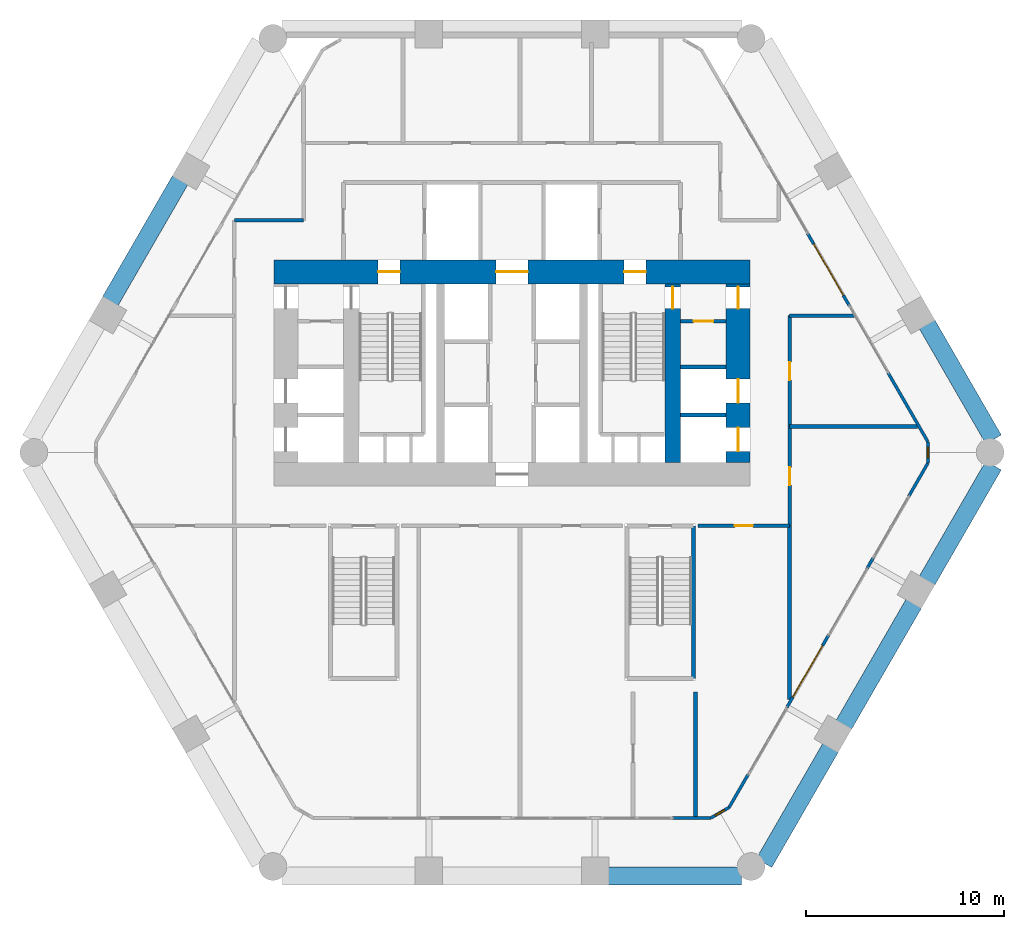
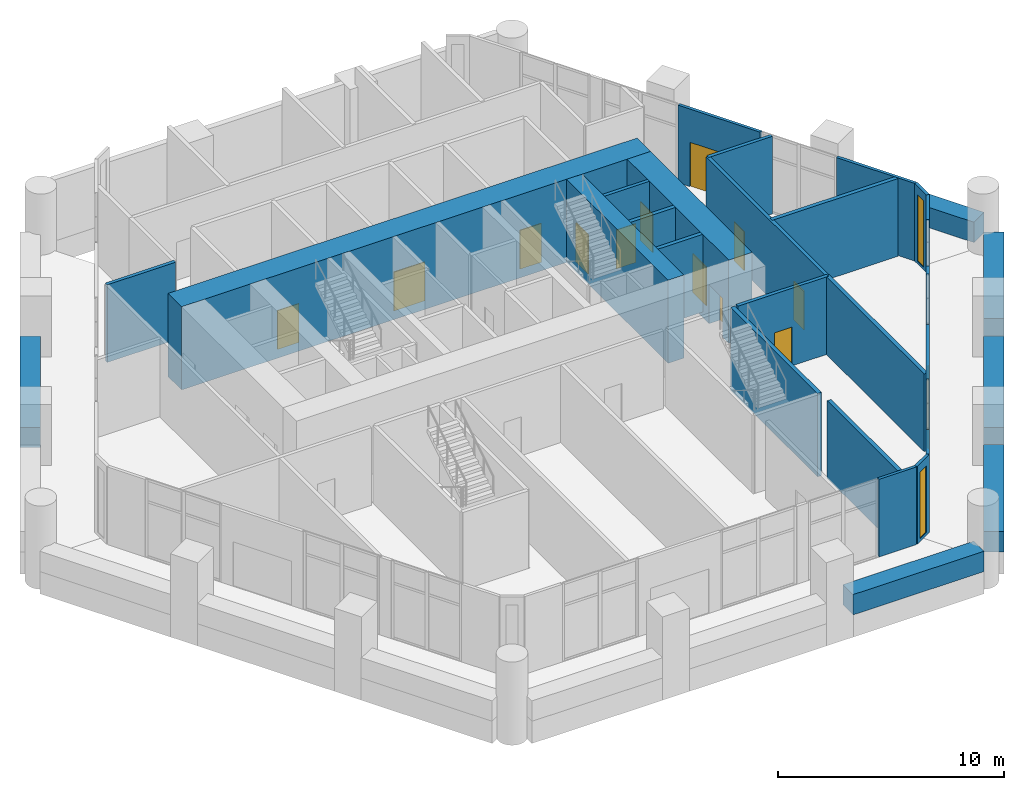
# One storey, part 15 of 18: 29 walls, 13 doors, 2 windows, 15 openings.
"""IFC4 building model written with IfcOpenShell, lengths in metres."""

from ifc_helpers import new_model, si_unit, direction, frame, frame_2d, origin, place, context, subcontext, project, spatial, rectangle, extrude, material, layer, layer_set, type_object, element, fill, save


model = new_model("IFC4")

# Units and contexts
model_context = context("Model", 3, precision=1e-05, world=origin(), true_north=direction((0.0, 1.0)))
body_context = subcontext(model_context, "Body", "Model", "MODEL_VIEW")
ifc_project = project(units=[si_unit("LENGTHUNIT", "METRE"), si_unit("AREAUNIT", "SQUARE_METRE"), si_unit("VOLUMEUNIT", "CUBIC_METRE"), si_unit("PLANEANGLEUNIT", "RADIAN"), si_unit("MASSUNIT", "GRAM", prefix="KILO")], contexts=[model_context])

# Site, building, storey
site_placement = place(None, origin())
site = spatial("IfcSite", under=ifc_project, at=site_placement, CompositionType="ELEMENT")
building_placement = place(site_placement, origin())
building = spatial("IfcBuilding", under=site, at=building_placement, Name="Ostrander Bayou Hotel Tower", CompositionType="ELEMENT")
storey_placement = place(building_placement, frame((0.0, 0.0, 14.5)))
storey = spatial("IfcBuildingStorey", under=building, at=storey_placement, Name="L03", CompositionType="ELEMENT", Elevation=14.5)

# Wall, openings, doors
ifc_material_1 = material(Name="Concrete f'c 70 MPa", Category="concrete")
ifc_layer_1 = layer(ifc_material_1, 1.199951171875)
ifc_layer_set_1 = layer_set([ifc_layer_1], Name="CW1 core wall 1200 mm f'c 70 MPa")
wall_type_1 = type_object("IfcWallType", Name="CW1 core wall 1200 mm f'c 70 MPa", PredefinedType="SHEAR", material=ifc_layer_set_1)
wall_1_placement = place(storey_placement, frame((-12.0, 9.10009765625, -0.300048828125), z_axis=(0.0, 0.0, 1.0), x_axis=(1.0, 0.0, 0.0)))
wall_1 = element("IfcWall", 1, at=wall_1_placement, inside=storey, type_object=wall_type_1, Name="CW1 L03 N", PredefinedType="SHEAR", context=body_context, shape_type="SweptSolid", body=[
    extrude(rectangle(XDim=24.0, YDim=1.199951171875, at=frame_2d((12.0, 0.0))), origin(), (0.0, 0.0, 1.0), 4.5),
])
opening_1_placement = place(wall_1_placement, frame((11.199951171875, 0.0, 0.0)))
opening_1 = element("IfcOpeningElement", 2, at=opening_1_placement, cuts=wall_1, Name="Opening T03-002", PredefinedType="OPENING", context=body_context, shape_type="SweptSolid", body=[
    extrude(rectangle(XDim=1.60009765625, YDim=2.10009765625, at=frame_2d((0.800048828125, 1.050048828125))), frame((0.0, 0.60009765625, 0.0), z_axis=(0.0, -1.0, 0.0), x_axis=(1.0, 0.0, 0.0)), (0.0, 0.0, 1.0), 1.199951171875),
])
opening_2_placement = place(wall_1_placement, frame((5.25, 0.0, 0.0)))
opening_2 = element("IfcOpeningElement", 3, at=opening_2_placement, cuts=wall_1, Name="Opening T03-003", PredefinedType="OPENING", context=body_context, shape_type="SweptSolid", body=[
    extrude(rectangle(XDim=1.10009765625, YDim=2.10009765625, at=frame_2d((0.550048828125, 1.050048828125))), frame((0.0, 0.60009765625, 0.0), z_axis=(0.0, -1.0, 0.0), x_axis=(1.0, 0.0, 0.0)), (0.0, 0.0, 1.0), 1.199951171875),
])
opening_3_placement = place(wall_1_placement, frame((17.64990234375, 0.0, 0.0)))
opening_3 = element("IfcOpeningElement", 4, at=opening_3_placement, cuts=wall_1, Name="Opening T03-005", PredefinedType="OPENING", context=body_context, shape_type="SweptSolid", body=[
    extrude(rectangle(XDim=1.10009765625, YDim=2.10009765625, at=frame_2d((0.550048828125, 1.050048828125))), frame((0.0, 0.60009765625, 0.0), z_axis=(0.0, -1.0, 0.0), x_axis=(1.0, 0.0, 0.0)), (0.0, 0.0, 1.0), 1.199951171875),
])
ifc_material_2 = material(Name="Timber door leaf", Category="wood")
door_type_1 = type_object("IfcDoorType", Name="D13 double door 1600 x 2100 mm, 1 hour", OperationType="SINGLE_SWING_LEFT", PredefinedType="DOOR", material=ifc_material_2)
door_1_placement = place(opening_1_placement, origin())
door_1 = element("IfcDoor", 5, at=door_1_placement, inside=storey, type_object=door_type_1, Name="dr:L03:002", OperationType="DOUBLE_DOOR_SINGLE_SWING", OverallHeight=2.10009765625, OverallWidth=1.60009765625, PredefinedType="DOOR", context=body_context, shape_type="SweptSolid", body=[
    extrude(rectangle(XDim=1.60009765625, YDim=2.10009765625, at=frame_2d((0.800048828125, 1.050048828125))), frame((0.0, 0.02490234375, 0.0), z_axis=(0.0, -1.0, 0.0), x_axis=(1.0, 0.0, 0.0)), (0.0, 0.0, 1.0), 0.050048828125),
])
fill(opening_1, door_1)
ifc_material_3 = material(Name="Timber door leaf", Category="wood")
door_type_2 = type_object("IfcDoorType", Name="D5 stair door 1100 x 2100 mm, 90 minute", OperationType="SINGLE_SWING_LEFT", PredefinedType="DOOR", material=ifc_material_3)
door_2_placement = place(opening_2_placement, origin())
door_2 = element("IfcDoor", 6, at=door_2_placement, inside=storey, type_object=door_type_2, Name="dr:L03:003", OperationType="SINGLE_SWING_LEFT", OverallHeight=2.10009765625, OverallWidth=1.10009765625, PredefinedType="DOOR", context=body_context, shape_type="SweptSolid", body=[
    extrude(rectangle(XDim=1.10009765625, YDim=2.10009765625, at=frame_2d((0.550048828125, 1.050048828125))), frame((0.0, 0.02490234375, 0.0), z_axis=(0.0, -1.0, 0.0), x_axis=(1.0, 0.0, 0.0)), (0.0, 0.0, 1.0), 0.050048828125),
])
fill(opening_2, door_2)
door_3_placement = place(opening_3_placement, origin())
door_3 = element("IfcDoor", 7, at=door_3_placement, inside=storey, type_object=door_type_2, Name="dr:L03:005", OperationType="SINGLE_SWING_RIGHT", OverallHeight=2.10009765625, OverallWidth=1.10009765625, PredefinedType="DOOR", context=body_context, shape_type="SweptSolid", body=[
    extrude(rectangle(XDim=1.10009765625, YDim=2.10009765625, at=frame_2d((0.550048828125, 1.050048828125))), frame((0.0, 0.02490234375, 0.0), z_axis=(0.0, -1.0, 0.0), x_axis=(1.0, 0.0, 0.0)), (0.0, 0.0, 1.0), 0.050048828125),
])
fill(opening_3, door_3)

wall_2_placement = place(storey_placement, frame((11.39990234375, -0.5, -0.300048828125), z_axis=(0.0, 0.0, 1.0), x_axis=(0.0, 1.0, 0.0)))
wall_2 = element("IfcWall", 8, at=wall_2_placement, inside=storey, type_object=wall_type_1, Name="CW1 L03 RE", PredefinedType="SHEAR", context=body_context, shape_type="SweptSolid", body=[
    extrude(rectangle(XDim=9.0, YDim=1.199951171875, at=frame_2d((4.5, 0.0))), origin(), (0.0, 0.0, 1.0), 4.5),
])
opening_4_placement = place(wall_2_placement, frame((7.75, 0.0, 0.0)))
opening_4 = element("IfcOpeningElement", 9, at=opening_4_placement, cuts=wall_2, Name="Opening T03-020", PredefinedType="OPENING", context=body_context, shape_type="SweptSolid", body=[
    extrude(rectangle(XDim=1.10009765625, YDim=2.10009765625, at=frame_2d((0.550048828125, 1.050048828125))), frame((0.0, 0.60009765625, 0.0), z_axis=(0.0, -1.0, 0.0), x_axis=(1.0, 0.0, 0.0)), (0.0, 0.0, 1.0), 1.199951171875),
])
opening_5_placement = place(wall_2_placement, frame((0.550048828125, 0.0, 0.0)))
opening_5 = element("IfcOpeningElement", 10, at=opening_5_placement, cuts=wall_2, Name="Opening T03-021", PredefinedType="OPENING", context=body_context, shape_type="SweptSolid", body=[
    extrude(rectangle(XDim=1.199951171875, YDim=2.10009765625, at=frame_2d((0.60009765625, 1.050048828125))), frame((0.0, 0.60009765625, 0.0), z_axis=(0.0, -1.0, 0.0), x_axis=(1.0, 0.0, 0.0)), (0.0, 0.0, 1.0), 1.199951171875),
])
opening_6_placement = place(wall_2_placement, frame((3.0, 0.0, 0.0)))
opening_6 = element("IfcOpeningElement", 11, at=opening_6_placement, cuts=wall_2, Name="Opening T03-022", PredefinedType="OPENING", context=body_context, shape_type="SweptSolid", body=[
    extrude(rectangle(XDim=1.199951171875, YDim=2.10009765625, at=frame_2d((0.60009765625, 1.050048828125))), frame((0.0, 0.60009765625, 0.0), z_axis=(0.0, -1.0, 0.0), x_axis=(1.0, 0.0, 0.0)), (0.0, 0.0, 1.0), 1.199951171875),
])
door_4_placement = place(opening_4_placement, origin())
door_4 = element("IfcDoor", 12, at=door_4_placement, inside=storey, type_object=door_type_2, Name="dr:L03:020", OperationType="SINGLE_SWING_RIGHT", OverallHeight=2.10009765625, OverallWidth=1.10009765625, PredefinedType="DOOR", context=body_context, shape_type="SweptSolid", body=[
    extrude(rectangle(XDim=1.10009765625, YDim=2.10009765625, at=frame_2d((0.550048828125, 1.050048828125))), frame((0.0, 0.02490234375, 0.0), z_axis=(0.0, -1.0, 0.0), x_axis=(1.0, 0.0, 0.0)), (0.0, 0.0, 1.0), 0.050048828125),
])
fill(opening_4, door_4)
ifc_material_4 = material(Name="Stainless steel sliding door", Category="steel")
door_type_3 = type_object("IfcDoorType", Name="LD1 lift landing door 1200 x 2100 mm", OperationType="SINGLE_SWING_LEFT", PredefinedType="DOOR", material=ifc_material_4)
door_5_placement = place(opening_5_placement, origin())
door_5 = element("IfcDoor", 13, at=door_5_placement, inside=storey, type_object=door_type_3, Name="dr:L03:021", OperationType="SLIDING_TO_LEFT", OverallHeight=2.10009765625, OverallWidth=1.199951171875, PredefinedType="DOOR", context=body_context, shape_type="SweptSolid", body=[
    extrude(rectangle(XDim=1.199951171875, YDim=2.10009765625, at=frame_2d((0.60009765625, 1.050048828125))), frame((0.0, 0.02490234375, 0.0), z_axis=(0.0, -1.0, 0.0), x_axis=(1.0, 0.0, 0.0)), (0.0, 0.0, 1.0), 0.050048828125),
])
fill(opening_5, door_5)
door_6_placement = place(opening_6_placement, origin())
door_6 = element("IfcDoor", 14, at=door_6_placement, inside=storey, type_object=door_type_3, Name="dr:L03:022", OperationType="SLIDING_TO_LEFT", OverallHeight=2.10009765625, OverallWidth=1.199951171875, PredefinedType="DOOR", context=body_context, shape_type="SweptSolid", body=[
    extrude(rectangle(XDim=1.199951171875, YDim=2.10009765625, at=frame_2d((0.60009765625, 1.050048828125))), frame((0.0, 0.02490234375, 0.0), z_axis=(0.0, -1.0, 0.0), x_axis=(1.0, 0.0, 0.0)), (0.0, 0.0, 1.0), 0.050048828125),
])
fill(opening_6, door_6)

# Wall, opening, door
ifc_material_5 = material(Name="Concrete f'c 70 MPa", Category="concrete")
ifc_layer_2 = layer(ifc_material_5, 0.800048828125)
ifc_layer_set_2 = layer_set([ifc_layer_2], Name="CW2 core spine wall 800 mm f'c 70 MPa")
wall_type_2 = type_object("IfcWallType", Name="CW2 core spine wall 800 mm f'c 70 MPa", PredefinedType="SHEAR", material=ifc_layer_set_2)
wall_3_placement = place(storey_placement, frame((8.10009765625, -0.5, -0.300048828125), z_axis=(0.0, 0.0, 1.0), x_axis=(0.0, 1.0, 0.0)))
wall_3 = element("IfcWall", 15, at=wall_3_placement, inside=storey, type_object=wall_type_2, Name="CW2 L03 E", PredefinedType="SHEAR", context=body_context, shape_type="SweptSolid", body=[
    extrude(rectangle(XDim=9.0, YDim=0.800048828125, at=frame_2d((4.5, 0.0))), origin(), (0.0, 0.0, 1.0), 4.5),
])
opening_7_placement = place(wall_3_placement, frame((7.75, 0.0, 0.0)))
opening_7 = element("IfcOpeningElement", 16, at=opening_7_placement, cuts=wall_3, Name="Opening T03-006", PredefinedType="OPENING", context=body_context, shape_type="SweptSolid", body=[
    extrude(rectangle(XDim=1.10009765625, YDim=2.10009765625, at=frame_2d((0.550048828125, 1.050048828125))), frame((0.0, 0.39990234375, 0.0), z_axis=(0.0, -1.0, 0.0), x_axis=(1.0, 0.0, 0.0)), (0.0, 0.0, 1.0), 0.800048828125),
])
door_7_placement = place(opening_7_placement, origin())
door_7 = element("IfcDoor", 17, at=door_7_placement, inside=storey, type_object=door_type_2, Name="dr:L03:006", OperationType="SINGLE_SWING_LEFT", OverallHeight=2.10009765625, OverallWidth=1.10009765625, PredefinedType="DOOR", context=body_context, shape_type="SweptSolid", body=[
    extrude(rectangle(XDim=1.10009765625, YDim=2.10009765625, at=frame_2d((0.550048828125, 1.050048828125))), frame((0.0, 0.02490234375, 0.0), z_axis=(0.0, -1.0, 0.0), x_axis=(1.0, 0.0, 0.0)), (0.0, 0.0, 1.0), 0.050048828125),
])
fill(opening_7, door_7)

# Wall
ifc_material_6 = material(Name="Aluminium framed insulated wall", Category="aluminium")
ifc_layer_3 = layer(ifc_material_6, 0.14990234375)
ifc_layer_set_3 = layer_set([ifc_layer_3], Name="GW1 glass-line wall 150 mm")
wall_type_3 = type_object("IfcWallType", Name="GW1 glass-line wall 150 mm", PredefinedType="SOLIDWALL", material=ifc_layer_set_3)
wall_4_placement = place(storey_placement, frame((8.10009765625, -18.425048828125, 0.0), z_axis=(0.0, 0.0, 1.0), x_axis=(1.0, 0.0, 0.0)))
element("IfcWall", 18, at=wall_4_placement, inside=storey, type_object=wall_type_3, Name="GW1 L03 S end 2", PredefinedType="SOLIDWALL", context=body_context, shape_type="SweptSolid", body=[
    extrude(rectangle(XDim=1.922607421875, YDim=0.14990234375, at=frame_2d((0.96142578125, 0.0))), origin(), (0.0, 0.0, 1.0), 4.199951171875),
])

# Wall, opening, door
wall_5_placement = place(storey_placement, frame((13.8564453125, -12.849853515625, 0.0), z_axis=(0.0, 0.0, 1.0), x_axis=(0.500002543286, 0.866023935413, 0.0)))
wall_5 = element("IfcWall", 19, at=wall_5_placement, inside=storey, type_object=wall_type_3, Name="GW1 L03 SE 2", PredefinedType="SOLIDWALL", context=body_context, shape_type="SweptSolid", body=[
    extrude(rectangle(XDim=4.2001953125, YDim=0.14990234375, at=frame_2d((2.10009765625, 0.0))), origin(), (0.0, 0.0, 1.0), 4.199951171875),
])
opening_8_placement = place(wall_5_placement, frame((0.60009765625, 0.0, 0.0)))
opening_8 = element("IfcOpeningElement", 20, at=opening_8_placement, cuts=wall_5, Name="Opening T03-803", PredefinedType="OPENING", context=body_context, shape_type="SweptSolid", body=[
    extrude(rectangle(XDim=3.0, YDim=2.39990234375, at=frame_2d((1.5, 1.199951171875))), frame((0.0, 0.074951171875, 0.0), z_axis=(0.0, -1.0, 0.0), x_axis=(1.0, 0.0, 0.0)), (0.0, 0.0, 1.0), 0.14990234375),
])
ifc_material_7 = material(Name="Aluminium and clear glass", Category="aluminium")
door_type_4 = type_object("IfcDoorType", Name="SD5 sliding glass door 3000 mm", OperationType="SLIDING_TO_LEFT", PredefinedType="DOOR", material=ifc_material_7)
door_8_placement = place(opening_8_placement, origin())
door_8 = element("IfcDoor", 21, at=door_8_placement, inside=storey, type_object=door_type_4, Name="SD5 L03 SE 2", OperationType="SLIDING_TO_RIGHT", OverallHeight=2.39990234375, OverallWidth=3.0, PredefinedType="DOOR", context=body_context, shape_type="SweptSolid", body=[
    extrude(rectangle(XDim=3.0, YDim=2.39990234375, at=frame_2d((1.5, 1.199951171875))), frame((0.0, 0.02490234375, 0.0), z_axis=(0.0, -1.0, 0.0), x_axis=(1.0, 0.0, 0.0)), (0.0, 0.0, 1.0), 0.050048828125),
])
fill(opening_8, door_8)

# Walls
for number, where, z_axis, x_axis, name in (
    (22, (10.945068359375, -17.892578125, 0.0), (0.0, 0.0, 1.0), (0.499989888488, 0.86603124159, 0.0), "GW1 L03 SE end 1"),
    (23, (20.006591796875, -2.19775390625, 0.0), (0.0, 0.0, 1.0), (0.499989888488, 0.86603124159, 0.0), "GW1 L03 SE end 2"),
):
    element("IfcWall", number, at=place(storey_placement, frame(where, z_axis=z_axis, x_axis=x_axis)), inside=storey, type_object=wall_type_3, Name=name, PredefinedType="SOLIDWALL", context=body_context, shape_type="SweptSolid", body=[
        extrude(rectangle(XDim=1.9228515625, YDim=0.14990234375, at=frame_2d((0.96142578125, 0.0))), origin(), (0.0, 0.0, 1.0), 4.199951171875),
    ])
wall_6_placement = place(storey_placement, frame((17.906494140625, -5.8349609375, 0.0), z_axis=(0.0, 0.0, 1.0), x_axis=(0.50012165622, 0.865955154139, 0.0)))
element("IfcWall", 24, at=wall_6_placement, inside=storey, type_object=wall_type_3, Name="GW1 L03 SE pier 4", PredefinedType="SOLIDWALL", context=body_context, shape_type="SweptSolid", body=[
    extrude(rectangle(XDim=0.599853515625, YDim=0.14990234375, at=frame_2d((0.2998046875, 0.0))), origin(), (0.0, 0.0, 1.0), 4.199951171875),
])

# Wall, opening, door
wall_7_placement = place(storey_placement, frame((17.006591796875, 7.393798828125, 0.0), z_axis=(0.0, 0.0, 1.0), x_axis=(-0.500002543286, 0.866023935413, 0.0)))
wall_7 = element("IfcWall", 25, at=wall_7_placement, inside=storey, type_object=wall_type_3, Name="GW1 L03 NE 3", PredefinedType="SOLIDWALL", context=body_context, shape_type="SweptSolid", body=[
    extrude(rectangle(XDim=4.2001953125, YDim=0.14990234375, at=frame_2d((2.10009765625, 0.0))), origin(), (0.0, 0.0, 1.0), 4.199951171875),
])
opening_9_placement = place(wall_7_placement, frame((0.60009765625, 0.0, 0.0)))
opening_9 = element("IfcOpeningElement", 26, at=opening_9_placement, cuts=wall_7, Name="Opening T03-804", PredefinedType="OPENING", context=body_context, shape_type="SweptSolid", body=[
    extrude(rectangle(XDim=3.0, YDim=2.39990234375, at=frame_2d((1.5, 1.199951171875))), frame((0.0, 0.074951171875, 0.0), z_axis=(0.0, -1.0, 0.0), x_axis=(1.0, 0.0, 0.0)), (0.0, 0.0, 1.0), 0.14990234375),
])
door_9_placement = place(opening_9_placement, origin())
door_9 = element("IfcDoor", 27, at=door_9_placement, inside=storey, type_object=door_type_4, Name="SD5 L03 NE 3", OperationType="SLIDING_TO_LEFT", OverallHeight=2.39990234375, OverallWidth=3.0, PredefinedType="DOOR", context=body_context, shape_type="SweptSolid", body=[
    extrude(rectangle(XDim=3.0, YDim=2.39990234375, at=frame_2d((1.5, 1.199951171875))), frame((0.0, 0.02490234375, 0.0), z_axis=(0.0, -1.0, 0.0), x_axis=(1.0, 0.0, 0.0)), (0.0, 0.0, 1.0), 0.050048828125),
])
fill(opening_9, door_9)

# Wall
wall_8_placement = place(storey_placement, frame((20.968017578125, 0.532470703125, 0.0), z_axis=(0.0, 0.0, 1.0), x_axis=(-0.500009633848, 0.866019841608, 0.0)))
element("IfcWall", 28, at=wall_8_placement, inside=storey, type_object=wall_type_3, Name="GW1 L03 NE end 1", PredefinedType="SOLIDWALL", context=body_context, shape_type="SweptSolid", body=[
    extrude(rectangle(XDim=4.02294921875, YDim=0.14990234375, at=frame_2d((2.011474609375, 0.0))), origin(), (0.0, 0.0, 1.0), 4.199951171875),
])

# Wall, opening, window
wall_9_placement = place(storey_placement, frame((10.022705078125, -18.425048828125, 0.0), z_axis=(0.0, 0.0, 1.0), x_axis=(0.866048165231, 0.499960573946, 0.0)))
wall_9 = element("IfcWall", 29, at=wall_9_placement, inside=storey, type_object=wall_type_3, Name="GW1 L03 corner 4", PredefinedType="SOLIDWALL", context=body_context, shape_type="SweptSolid", body=[
    extrude(rectangle(XDim=1.06494140625, YDim=0.14990234375, at=frame_2d((0.532470703125, 0.0))), origin(), (0.0, 0.0, 1.0), 4.199951171875),
])
opening_10_placement = place(wall_9_placement, frame((0.257568359375, 0.0, 0.14990234375)))
opening_10 = element("IfcOpeningElement", 30, at=opening_10_placement, cuts=wall_9, Name="Opening W19", PredefinedType="OPENING", context=body_context, shape_type="SweptSolid", body=[
    extrude(rectangle(XDim=0.550048828125, YDim=3.60009765625, at=frame_2d((0.27490234375, 1.800048828125))), frame((0.0, 0.074951171875, 0.0), z_axis=(0.0, -1.0, 0.0), x_axis=(1.0, 0.0, 0.0)), (0.0, 0.0, 1.0), 0.14990234375),
])
ifc_material_8 = material(Name="Aluminium and clear glass", Category="aluminium")
window_type = type_object("IfcWindowType", Name="W19 corner window 550 mm", PartitioningType="SINGLE_PANEL", PredefinedType="WINDOW", material=ifc_material_8)
window_1_placement = place(opening_10_placement, origin())
window_1 = element("IfcWindow", 31, at=window_1_placement, inside=storey, type_object=window_type, Name="W19 L03 corner 4", OverallHeight=3.60009765625, OverallWidth=0.550048828125, PartitioningType="SINGLE_PANEL", PredefinedType="WINDOW", context=body_context, shape_type="SweptSolid", body=[
    extrude(rectangle(XDim=0.550048828125, YDim=3.60009765625, at=frame_2d((0.27490234375, 1.800048828125))), frame((0.0, 0.030029296875, 0.0), z_axis=(0.0, -1.0, 0.0), x_axis=(1.0, 0.0, 0.0)), (0.0, 0.0, 1.0), 0.06005859375),
])
fill(opening_10, window_1)

wall_10_placement = place(storey_placement, frame((20.968017578125, -0.532470703125, 0.0), z_axis=(0.0, 0.0, 1.0), x_axis=(0.0, 1.0, 0.0)))
wall_10 = element("IfcWall", 32, at=wall_10_placement, inside=storey, type_object=wall_type_3, Name="GW1 L03 corner 5", PredefinedType="SOLIDWALL", context=body_context, shape_type="SweptSolid", body=[
    extrude(rectangle(XDim=1.06494140625, YDim=0.14990234375, at=frame_2d((0.532470703125, 0.0))), origin(), (0.0, 0.0, 1.0), 4.199951171875),
])
opening_11_placement = place(wall_10_placement, frame((0.257568359375, 0.0, 0.14990234375)))
opening_11 = element("IfcOpeningElement", 33, at=opening_11_placement, cuts=wall_10, Name="Opening W19", PredefinedType="OPENING", context=body_context, shape_type="SweptSolid", body=[
    extrude(rectangle(XDim=0.550048828125, YDim=3.60009765625, at=frame_2d((0.27490234375, 1.800048828125))), frame((0.0, 0.074951171875, 0.0), z_axis=(0.0, -1.0, 0.0), x_axis=(1.0, 0.0, 0.0)), (0.0, 0.0, 1.0), 0.14990234375),
])
window_2_placement = place(opening_11_placement, origin())
window_2 = element("IfcWindow", 34, at=window_2_placement, inside=storey, type_object=window_type, Name="W19 L03 corner 5", OverallHeight=3.60009765625, OverallWidth=0.550048828125, PartitioningType="SINGLE_PANEL", PredefinedType="WINDOW", context=body_context, shape_type="SweptSolid", body=[
    extrude(rectangle(XDim=0.550048828125, YDim=3.60009765625, at=frame_2d((0.27490234375, 1.800048828125))), frame((0.0, 0.030029296875, 0.0), z_axis=(0.0, -1.0, 0.0), x_axis=(1.0, 0.0, 0.0)), (0.0, 0.0, 1.0), 0.06005859375),
])
fill(opening_11, window_2)

# Walls
ifc_material_9 = material(Name="Concrete f'c 40 MPa", Category="concrete")
ifc_layer_4 = layer(ifc_material_9, 0.89990234375)
ifc_layer_set_4 = layer_set([ifc_layer_4], Name="PA1 stone-faced parapet 900 mm")
wall_type_4 = type_object("IfcWallType", Name="PA1 stone-faced parapet 900 mm", PredefinedType="PARAPET", material=ifc_layer_set_4)
wall_11_placement = place(storey_placement, frame((-16.726806640625, 13.72802734375, 0.0), z_axis=(0.0, 0.0, 1.0), x_axis=(-0.499997206141, -0.866027016814, 0.0)))
element("IfcWall", 35, at=wall_11_placement, inside=storey, type_object=wall_type_4, Name="PA1 L03 NW-2", PredefinedType="PARAPET", context=body_context, shape_type="SweptSolid", body=[
    extrude(rectangle(XDim=7.05078125, YDim=0.89990234375, at=frame_2d((3.525390625, 0.0))), origin(), (0.0, 0.0, 1.0), 1.10009765625),
])
for number, where, z_axis, x_axis, name in (
    (36, (4.865478515625, -21.35009765625, 0.0), (0.0, 0.0, 1.0), (1.0, 0.0, 0.0), "PA1 L03 S-3"),
    (37, (24.274169921875, 0.656005859375, 0.0), (0.0, 0.0, 1.0), (-0.500005133765, 0.866022439784, 0.0), "PA1 L03 NE-1"),
):
    element("IfcWall", number, at=place(storey_placement, frame(where, z_axis=z_axis, x_axis=x_axis)), inside=storey, type_object=wall_type_4, Name=name, PredefinedType="PARAPET", context=body_context, shape_type="SweptSolid", body=[
        extrude(rectangle(XDim=6.70361328125, YDim=0.89990234375, at=frame_2d((3.351806640625, 0.0))), origin(), (0.0, 0.0, 1.0), 1.10009765625),
    ])
ifc_material_10 = material(Name="Limestone masonry", Category="masonry")
ifc_layer_5 = layer(ifc_material_10, 0.89990234375)
ifc_layer_set_5 = layer_set([ifc_layer_5], Name="PA2 limestone parapet 900 mm")
wall_type_5 = type_object("IfcWallType", Name="PA2 limestone parapet 900 mm", PredefinedType="PARAPET", material=ifc_layer_set_5)
wall_12_placement = place(storey_placement, frame((12.705078125, -20.694091796875, 0.0), z_axis=(0.0, 0.0, 1.0), x_axis=(0.500005133765, 0.866022439784, 0.0)))
element("IfcWall", 38, at=wall_12_placement, inside=storey, type_object=wall_type_5, Name="PA2 L03 SE-1", PredefinedType="PARAPET", context=body_context, shape_type="SweptSolid", body=[
    extrude(rectangle(XDim=6.70361328125, YDim=0.89990234375, at=frame_2d((3.351806640625, 0.0))), origin(), (0.0, 0.0, 1.0), 1.10009765625),
])
wall_13_placement = place(storey_placement, frame((16.726806640625, -13.72802734375, 0.0), z_axis=(0.0, 0.0, 1.0), x_axis=(0.499997206141, 0.866027016814, 0.0)))
element("IfcWall", 39, at=wall_13_placement, inside=storey, type_object=wall_type_5, Name="PA2 L03 SE-2", PredefinedType="PARAPET", context=body_context, shape_type="SweptSolid", body=[
    extrude(rectangle(XDim=7.05078125, YDim=0.89990234375, at=frame_2d((3.525390625, 0.0))), origin(), (0.0, 0.0, 1.0), 1.10009765625),
])
wall_14_placement = place(storey_placement, frame((20.92236328125, -6.46142578125, 0.0), z_axis=(0.0, 0.0, 1.0), x_axis=(0.500005133765, 0.866022439784, 0.0)))
element("IfcWall", 40, at=wall_14_placement, inside=storey, type_object=wall_type_5, Name="PA2 L03 SE-3", PredefinedType="PARAPET", context=body_context, shape_type="SweptSolid", body=[
    extrude(rectangle(XDim=6.70361328125, YDim=0.89990234375, at=frame_2d((3.351806640625, 0.0))), origin(), (0.0, 0.0, 1.0), 1.10009765625),
])
ifc_material_11 = material(Name="Gypsum board partition", Category="finish")
ifc_layer_6 = layer(ifc_material_11, 0.199951171875)
ifc_layer_set_6 = layer_set([ifc_layer_6], Name="PT3 demising wall 200 mm acoustic double stud, 1 hour")
wall_type_6 = type_object("IfcWallType", Name="PT3 demising wall 200 mm acoustic double stud, 1 hour", PredefinedType="PARTITIONING", material=ifc_layer_set_6)
wall_15_placement = place(storey_placement, frame((14.0, 1.300048828125, 0.0), z_axis=(0.0, 0.0, 1.0), x_axis=(1.0, 0.0, 0.0)))
element("IfcWall", 41, at=wall_15_placement, inside=storey, type_object=wall_type_6, Name="sw:L03:014", PredefinedType="PARTITIONING", context=body_context, shape_type="SweptSolid", body=[
    extrude(rectangle(XDim=6.43310546875, YDim=0.199951171875, at=frame_2d((3.216552734375, 0.0))), origin(), (0.0, 0.0, 1.0), 4.199951171875),
])
wall_16_placement = place(storey_placement, frame((9.25, -18.344970703125, 0.0), z_axis=(0.0, 0.0, 1.0), x_axis=(0.0, 1.0, 0.0)))
element("IfcWall", 42, at=wall_16_placement, inside=storey, type_object=wall_type_6, Name="sw:L03:024", PredefinedType="PARTITIONING", context=body_context, shape_type="SweptSolid", body=[
    extrude(rectangle(XDim=6.264892578125, YDim=0.199951171875, at=frame_2d((3.13232421875, 0.0))), origin(), (0.0, 0.0, 1.0), 4.199951171875),
])
wall_17_placement = place(storey_placement, frame((14.0, -12.4462890625, 0.0), z_axis=(0.0, 0.0, 1.0), x_axis=(0.0, 1.0, 0.0)))
element("IfcWall", 43, at=wall_17_placement, inside=storey, type_object=wall_type_6, Name="sw:L03:025", PredefinedType="PARTITIONING", context=body_context, shape_type="SweptSolid", body=[
    extrude(rectangle(XDim=8.746337890625, YDim=0.199951171875, at=frame_2d((4.373046875, 0.0))), origin(), (0.0, 0.0, 1.0), 4.199951171875),
])

# Wall, opening, door
ifc_material_12 = material(Name="Gypsum board partition", Category="finish")
ifc_layer_7 = layer(ifc_material_12, 0.175048828125)
ifc_layer_set_7 = layer_set([ifc_layer_7], Name="PT4 corridor wall 175 mm, 1 hour")
wall_type_7 = type_object("IfcWallType", Name="PT4 corridor wall 175 mm, 1 hour", PredefinedType="PARTITIONING", material=ifc_layer_set_7)
wall_18_placement = place(storey_placement, frame((8.5, 6.614013671875, 0.0), z_axis=(0.0, 0.0, 1.0), x_axis=(1.0, 0.0, 0.0)))
wall_18 = element("IfcWall", 44, at=wall_18_placement, inside=storey, type_object=wall_type_7, Name="cs:L03:039", PredefinedType="PARTITIONING", context=body_context, shape_type="SweptSolid", body=[
    extrude(rectangle(XDim=2.300048828125, YDim=0.175048828125, at=frame_2d((1.14990234375, 0.0))), origin(), (0.0, 0.0, 1.0), 4.199951171875),
])
opening_12_placement = place(wall_18_placement, frame((0.64990234375, 0.0, 0.0)))
opening_12 = element("IfcOpeningElement", 45, at=opening_12_placement, cuts=wall_18, Name="Opening T03-019", PredefinedType="OPENING", context=body_context, shape_type="SweptSolid", body=[
    extrude(rectangle(XDim=1.0, YDim=2.10009765625, at=frame_2d((0.5, 1.050048828125))), frame((0.0, 0.08740234375, 0.0), z_axis=(0.0, -1.0, 0.0), x_axis=(1.0, 0.0, 0.0)), (0.0, 0.0, 1.0), 0.175048828125),
])
ifc_material_13 = material(Name="Timber door leaf", Category="wood")
door_type_5 = type_object("IfcDoorType", Name="D4 corridor door 1000 x 2100 mm, 1 hour", OperationType="SINGLE_SWING_LEFT", PredefinedType="DOOR", material=ifc_material_13)
door_10_placement = place(opening_12_placement, origin())
door_10 = element("IfcDoor", 46, at=door_10_placement, inside=storey, type_object=door_type_5, Name="dr:L03:019", OperationType="SINGLE_SWING_RIGHT", OverallHeight=2.10009765625, OverallWidth=1.0, PredefinedType="DOOR", context=body_context, shape_type="SweptSolid", body=[
    extrude(rectangle(XDim=1.0, YDim=2.10009765625, at=frame_2d((0.5, 1.050048828125))), frame((0.0, 0.02490234375, 0.0), z_axis=(0.0, -1.0, 0.0), x_axis=(1.0, 0.0, 0.0)), (0.0, 0.0, 1.0), 0.050048828125),
])
fill(opening_12, door_10)

wall_19_placement = place(storey_placement, frame((9.3798828125, -3.699951171875, 0.0), z_axis=(0.0, 0.0, 1.0), x_axis=(1.0, 0.0, 0.0)))
wall_19 = element("IfcWall", 47, at=wall_19_placement, inside=storey, type_object=wall_type_7, Name="sw:L03:003", PredefinedType="PARTITIONING", context=body_context, shape_type="SweptSolid", body=[
    extrude(rectangle(XDim=4.6201171875, YDim=0.175048828125, at=frame_2d((2.31005859375, 0.0))), origin(), (0.0, 0.0, 1.0), 4.199951171875),
])
opening_13_placement = place(wall_19_placement, frame((1.860107421875, 0.0, 0.0)))
opening_13 = element("IfcOpeningElement", 48, at=opening_13_placement, cuts=wall_19, Name="Opening T03-204", PredefinedType="OPENING", context=body_context, shape_type="SweptSolid", body=[
    extrude(rectangle(XDim=0.89990234375, YDim=2.10009765625, at=frame_2d((0.449951171875, 1.050048828125))), frame((0.0, 0.08740234375, 0.0), z_axis=(0.0, -1.0, 0.0), x_axis=(1.0, 0.0, 0.0)), (0.0, 0.0, 1.0), 0.175048828125),
])
ifc_material_14 = material(Name="Timber door leaf", Category="wood")
door_type_6 = type_object("IfcDoorType", Name="D8 room door 900 x 2100 mm", OperationType="SINGLE_SWING_LEFT", PredefinedType="DOOR", material=ifc_material_14)
door_11_placement = place(opening_13_placement, origin())
door_11 = element("IfcDoor", 49, at=door_11_placement, inside=storey, type_object=door_type_6, Name="dr:L03:204", OperationType="SINGLE_SWING_RIGHT", OverallHeight=2.10009765625, OverallWidth=0.89990234375, PredefinedType="DOOR", context=body_context, shape_type="SweptSolid", body=[
    extrude(rectangle(XDim=0.89990234375, YDim=2.10009765625, at=frame_2d((0.449951171875, 1.050048828125))), frame((0.0, 0.02490234375, 0.0), z_axis=(0.0, -1.0, 0.0), x_axis=(1.0, 0.0, 0.0)), (0.0, 0.0, 1.0), 0.050048828125),
])
fill(opening_13, door_11)

# Walls
wall_20_placement = place(storey_placement, frame((14.0, 6.89990234375, 0.0), z_axis=(0.0, 0.0, 1.0), x_axis=(1.0, 0.0, 0.0)))
element("IfcWall", 50, at=wall_20_placement, inside=storey, type_object=wall_type_7, Name="sw:L03:005", PredefinedType="PARTITIONING", context=body_context, shape_type="SweptSolid", body=[
    extrude(rectangle(XDim=3.2705078125, YDim=0.175048828125, at=frame_2d((1.63525390625, 0.0))), origin(), (0.0, 0.0, 1.0), 4.199951171875),
])
wall_21_placement = place(storey_placement, frame((-14.0, 11.699951171875, 0.0), z_axis=(0.0, 0.0, 1.0), x_axis=(1.0, 0.0, 0.0)))
element("IfcWall", 51, at=wall_21_placement, inside=storey, type_object=wall_type_7, Name="sw:L03:006", PredefinedType="PARTITIONING", context=body_context, shape_type="SweptSolid", body=[
    extrude(rectangle(XDim=3.5, YDim=0.175048828125, at=frame_2d((1.75, 0.0))), origin(), (0.0, 0.0, 1.0), 4.199951171875),
])

# Wall, openings, doors
wall_22_placement = place(storey_placement, frame((14.0, -3.699951171875, 0.0), z_axis=(0.0, 0.0, 1.0), x_axis=(0.0, 1.0, 0.0)))
wall_22 = element("IfcWall", 52, at=wall_22_placement, inside=storey, type_object=wall_type_7, Name="sw:L03:013", PredefinedType="PARTITIONING", context=body_context, shape_type="SweptSolid", body=[
    extrude(rectangle(XDim=10.599853515625, YDim=0.175048828125, at=frame_2d((5.2998046875, 0.0))), origin(), (0.0, 0.0, 1.0), 4.199951171875),
])
opening_14_placement = place(wall_22_placement, frame((2.050048828125, 0.0, 0.0)))
opening_14 = element("IfcOpeningElement", 53, at=opening_14_placement, cuts=wall_22, Name="Opening T03-207", PredefinedType="OPENING", context=body_context, shape_type="SweptSolid", body=[
    extrude(rectangle(XDim=0.89990234375, YDim=2.10009765625, at=frame_2d((0.449951171875, 1.050048828125))), frame((0.0, 0.08740234375, 0.0), z_axis=(0.0, -1.0, 0.0), x_axis=(1.0, 0.0, 0.0)), (0.0, 0.0, 1.0), 0.175048828125),
])
opening_15_placement = place(wall_22_placement, frame((7.35009765625, 0.0, 0.0)))
opening_15 = element("IfcOpeningElement", 54, at=opening_15_placement, cuts=wall_22, Name="Opening T03-208", PredefinedType="OPENING", context=body_context, shape_type="SweptSolid", body=[
    extrude(rectangle(XDim=0.89990234375, YDim=2.10009765625, at=frame_2d((0.449951171875, 1.050048828125))), frame((0.0, 0.08740234375, 0.0), z_axis=(0.0, -1.0, 0.0), x_axis=(1.0, 0.0, 0.0)), (0.0, 0.0, 1.0), 0.175048828125),
])
door_12_placement = place(opening_14_placement, origin())
door_12 = element("IfcDoor", 55, at=door_12_placement, inside=storey, type_object=door_type_6, Name="dr:L03:207", OperationType="SINGLE_SWING_LEFT", OverallHeight=2.10009765625, OverallWidth=0.89990234375, PredefinedType="DOOR", context=body_context, shape_type="SweptSolid", body=[
    extrude(rectangle(XDim=0.89990234375, YDim=2.10009765625, at=frame_2d((0.449951171875, 1.050048828125))), frame((0.0, 0.02490234375, 0.0), z_axis=(0.0, -1.0, 0.0), x_axis=(1.0, 0.0, 0.0)), (0.0, 0.0, 1.0), 0.050048828125),
])
fill(opening_14, door_12)
door_13_placement = place(opening_15_placement, origin())
door_13 = element("IfcDoor", 56, at=door_13_placement, inside=storey, type_object=door_type_6, Name="dr:L03:208", OperationType="SINGLE_SWING_RIGHT", OverallHeight=2.10009765625, OverallWidth=0.89990234375, PredefinedType="DOOR", context=body_context, shape_type="SweptSolid", body=[
    extrude(rectangle(XDim=0.89990234375, YDim=2.10009765625, at=frame_2d((0.449951171875, 1.050048828125))), frame((0.0, 0.02490234375, 0.0), z_axis=(0.0, -1.0, 0.0), x_axis=(1.0, 0.0, 0.0)), (0.0, 0.0, 1.0), 0.050048828125),
])
fill(opening_15, door_13)

# Walls
ifc_material_15 = material(Name="Masonry block", Category="masonry")
ifc_layer_8 = layer(ifc_material_15, 0.199951171875)
ifc_layer_set_8 = layer_set([ifc_layer_8], Name="PT6 lift shaft wall 200 mm masonry, 2 hour")
wall_type_8 = type_object("IfcWallType", Name="PT6 lift shaft wall 200 mm masonry, 2 hour", PredefinedType="PARTITIONING", material=ifc_layer_set_8)
for number, where, z_axis, x_axis, name in (
    (57, (8.5, 1.89990234375, 0.0), (0.0, 0.0, 1.0), (1.0, 0.0, 0.0), "cs:L03:037"),
    (58, (8.5, 4.300048828125, 0.0), (0.0, 0.0, 1.0), (1.0, 0.0, 0.0), "cs:L03:038"),
):
    element("IfcWall", number, at=place(storey_placement, frame(where, z_axis=z_axis, x_axis=x_axis)), inside=storey, type_object=wall_type_8, Name=name, PredefinedType="PARTITIONING", context=body_context, shape_type="SweptSolid", body=[
        extrude(rectangle(XDim=2.300048828125, YDim=0.199951171875, at=frame_2d((1.14990234375, 0.0))), origin(), (0.0, 0.0, 1.0), 4.199951171875),
    ])
ifc_material_16 = material(Name="Concrete f'c 45 MPa", Category="concrete")
ifc_layer_9 = layer(ifc_material_16, 0.199951171875)
ifc_layer_set_9 = layer_set([ifc_layer_9], Name="SW5 stair enclosure wall 200 mm f'c 45 MPa")
wall_type_9 = type_object("IfcWallType", Name="SW5 stair enclosure wall 200 mm f'c 45 MPa", PredefinedType="SOLIDWALL", material=ifc_layer_set_9)
wall_23_placement = place(storey_placement, frame((9.14990234375, -3.699951171875, -0.300048828125), z_axis=(0.0, 0.0, 1.0), x_axis=(0.0, -1.0, 0.0)))
element("IfcWall", 59, at=wall_23_placement, inside=storey, type_object=wall_type_9, Name="cs:L03:019", PredefinedType="SOLIDWALL", context=body_context, shape_type="SweptSolid", body=[
    extrude(rectangle(XDim=7.699951171875, YDim=0.199951171875, at=frame_2d((3.85009765625, 0.0))), origin(), (0.0, 0.0, 1.0), 4.5),
])

save(model, "model.ifc")
